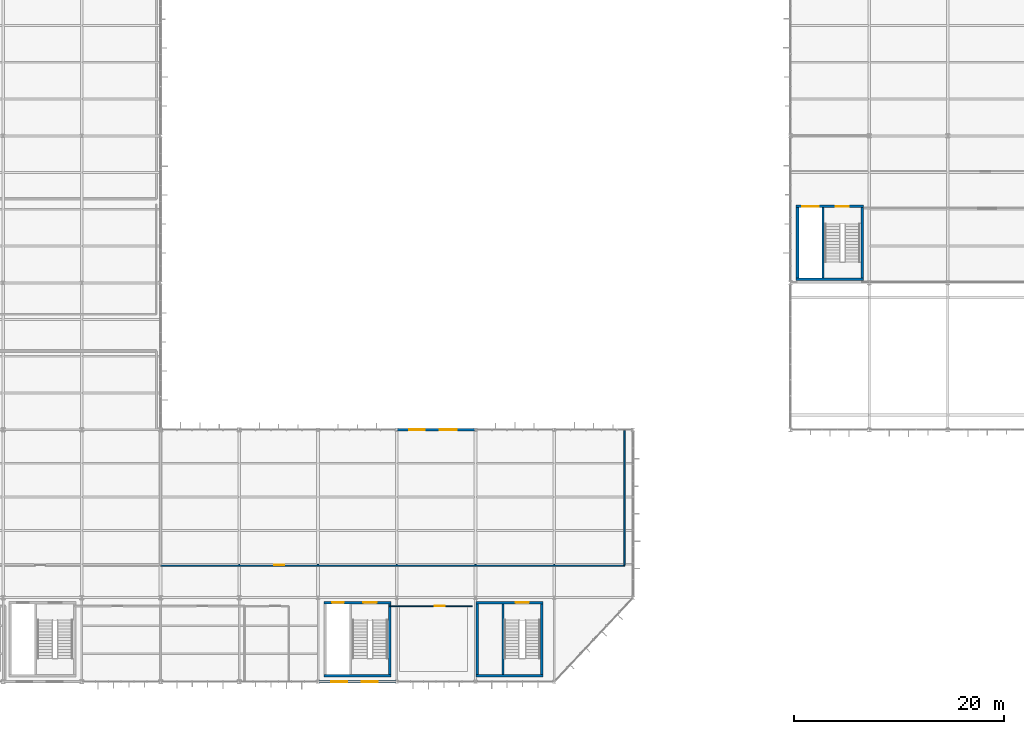
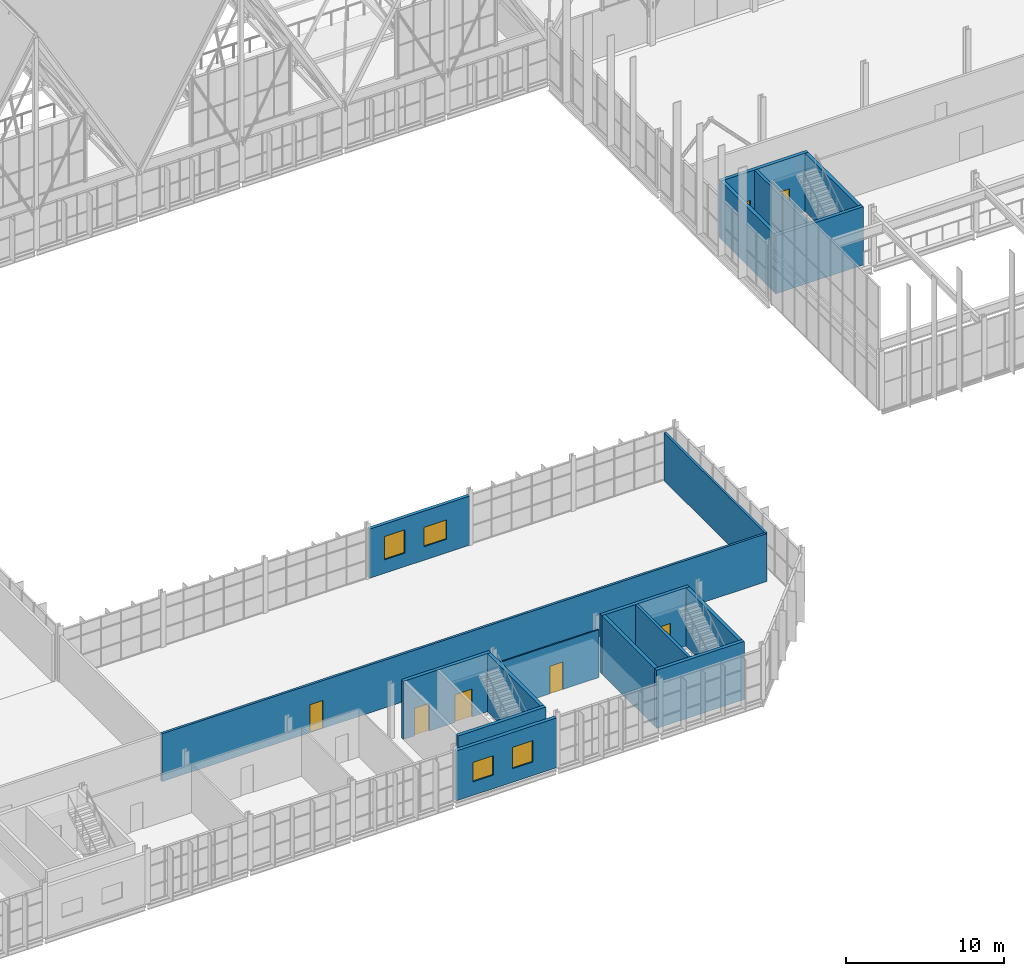
# One storey, part 307 of 324: 18 walls, 7 doors, 4 windows, 11 openings.
"""IFC4 building model written with IfcOpenShell, lengths in metres."""

from ifc_helpers import new_model, si_unit, direction, frame, frame_2d, origin, place, context, subcontext, project, spatial, rectangle, extrude, material, layer, layer_set, type_object, element, fill, save


model = new_model("IFC4")

# Units and contexts
model_context = context("Model", 3, precision=1e-05, world=origin(), true_north=direction((0.0, 1.0)))
body_context = subcontext(model_context, "Body", "Model", "MODEL_VIEW")
ifc_project = project(units=[si_unit("LENGTHUNIT", "METRE"), si_unit("AREAUNIT", "SQUARE_METRE"), si_unit("VOLUMEUNIT", "CUBIC_METRE"), si_unit("PLANEANGLEUNIT", "RADIAN"), si_unit("MASSUNIT", "GRAM", prefix="KILO")], contexts=[model_context])

# Site, building, storey
site_placement = place(None, origin())
site = spatial("IfcSite", under=ifc_project, at=site_placement, CompositionType="ELEMENT")
building_placement = place(site_placement, origin())
building = spatial("IfcBuilding", under=site, at=building_placement, Name="Solvenia Promenade Tram Depot", CompositionType="ELEMENT")
storey_placement = place(building_placement, frame((0.0, 0.0, 4.5)))
storey = spatial("IfcBuildingStorey", under=building, at=storey_placement, Name="L01", CompositionType="ELEMENT", Elevation=4.5)

# Wall
ifc_material_1 = material(Name="Concrete C28/35", Category="concrete")
ifc_layer_1 = layer(ifc_material_1, 0.25, Name="Concrete C28/35", Category="concrete")
ifc_layer_set_1 = layer_set([ifc_layer_1], Name="Concrete C28/35")
wall_type_1 = type_object("IfcWallType", Name="Wall-Core-250", PredefinedType="SHEAR", material=ifc_layer_set_1)
wall_1_placement = place(storey_placement, frame((60.550048828125, 0.574951171875, 0.0), z_axis=(0.0, 0.0, 1.0), x_axis=(1.0, 0.0, 0.0)))
element("IfcWall", 1, at=wall_1_placement, inside=storey, type_object=wall_type_1, Name="Core C3 Shear Wall WC-C3-L01-S", PredefinedType="SHEAR", context=body_context, shape_type="SweptSolid", body=[
    extrude(rectangle(XDim=6.39990234375, YDim=0.25, at=frame_2d((3.199951171875, 0.0))), origin(), (0.0, 0.0, 1.0), 4.5),
])

# Wall, openings, doors
wall_2_placement = place(storey_placement, frame((60.550048828125, 7.52490234375, 0.0), z_axis=(0.0, 0.0, 1.0), x_axis=(1.0, 0.0, 0.0)))
wall_2 = element("IfcWall", 2, at=wall_2_placement, inside=storey, type_object=wall_type_1, Name="Core C3 Shear Wall WC-C3-L01-N", PredefinedType="SHEAR", context=body_context, shape_type="SweptSolid", body=[
    extrude(rectangle(XDim=6.39990234375, YDim=0.25, at=frame_2d((3.199951171875, 0.0))), origin(), (0.0, 0.0, 1.0), 4.5),
])
opening_1_placement = place(wall_2_placement, frame((0.800048828125, 0.0, 0.0)))
opening_1 = element("IfcOpeningElement", 3, at=opening_1_placement, cuts=wall_2, Name="Opening LD-03", PredefinedType="OPENING", context=body_context, shape_type="SweptSolid", body=[
    extrude(rectangle(XDim=1.10009765625, YDim=2.14990234375, at=frame_2d((0.550048828125, 1.074951171875))), frame((0.0, 0.135009765625, 0.0), z_axis=(0.0, -1.0, 0.0), x_axis=(1.0, 0.0, 0.0)), (0.0, 0.0, 1.0), 0.27001953125),
])
opening_2_placement = place(wall_2_placement, frame((3.77490234375, 0.0, 0.0)))
opening_2 = element("IfcOpeningElement", 4, at=opening_2_placement, cuts=wall_2, Name="Opening D-FD90", PredefinedType="OPENING", context=body_context, shape_type="SweptSolid", body=[
    extrude(rectangle(XDim=1.25, YDim=2.14990234375, at=frame_2d((0.625, 1.074951171875))), frame((0.0, 0.135009765625, 0.0), z_axis=(0.0, -1.0, 0.0), x_axis=(1.0, 0.0, 0.0)), (0.0, 0.0, 1.0), 0.27001953125),
])
ifc_material_2 = material(Name="Galvanized painted sheet steel", Category="steel")
door_type_1 = type_object("IfcDoorType", Name="Door-Lift-Pass-1100", OperationType="DOUBLE_DOOR_SLIDING", PredefinedType="DOOR", material=ifc_material_2)
door_1_placement = place(opening_1_placement, origin())
door_1 = element("IfcDoor", 5, at=door_1_placement, inside=storey, type_object=door_type_1, Name="Lift Landing Door LF-03 L01", OperationType="DOUBLE_DOOR_SLIDING", OverallHeight=2.14990234375, OverallWidth=1.10009765625, PredefinedType="DOOR", context=body_context, shape_type="SweptSolid", body=[
    extrude(rectangle(XDim=1.10009765625, YDim=2.14990234375, at=frame_2d((0.550048828125, 1.074951171875))), frame((0.0, 0.02490234375, 0.0), z_axis=(0.0, -1.0, 0.0), x_axis=(1.0, 0.0, 0.0)), (0.0, 0.0, 1.0), 0.050048828125),
])
fill(opening_1, door_1)
door_type_2 = type_object("IfcDoorType", Name="Door-Stair-FD90", OperationType="NOTDEFINED", PredefinedType="DOOR", material=ifc_material_2)
door_2_placement = place(opening_2_placement, frame((1.25, 0.0, 0.0), z_axis=(0.0, 0.0, 1.0), x_axis=(-1.0, 0.0, 0.0)))
door_2 = element("IfcDoor", 6, at=door_2_placement, inside=storey, type_object=door_type_2, Name="Exit Stair Door C3 L01", OperationType="SINGLE_SWING_LEFT", OverallHeight=2.14990234375, OverallWidth=1.25, PredefinedType="DOOR", context=body_context, shape_type="SweptSolid", body=[
    extrude(rectangle(XDim=1.25, YDim=2.14990234375, at=frame_2d((0.625, 1.074951171875))), frame((0.0, 0.02490234375, 0.0), z_axis=(0.0, -1.0, 0.0), x_axis=(1.0, 0.0, 0.0)), (0.0, 0.0, 1.0), 0.050048828125),
])
fill(opening_2, door_2)

# Walls
wall_3_placement = place(storey_placement, frame((66.824951171875, 0.699951171875, 0.0), z_axis=(0.0, 0.0, 1.0), x_axis=(0.0, 1.0, 0.0)))
element("IfcWall", 7, at=wall_3_placement, inside=storey, type_object=wall_type_1, Name="Core C3 Shear Wall WC-C3-L01-E", PredefinedType="SHEAR", context=body_context, shape_type="SweptSolid", body=[
    extrude(rectangle(XDim=6.699951171875, YDim=0.25, at=frame_2d((3.35009765625, 0.0))), origin(), (0.0, 0.0, 1.0), 4.5),
])
wall_4_placement = place(storey_placement, frame((75.050048828125, 0.574951171875, 0.0), z_axis=(0.0, 0.0, 1.0), x_axis=(1.0, 0.0, 0.0)))
element("IfcWall", 8, at=wall_4_placement, inside=storey, type_object=wall_type_1, Name="Core C4 Shear Wall WC-C4-L01-S", PredefinedType="SHEAR", context=body_context, shape_type="SweptSolid", body=[
    extrude(rectangle(XDim=6.39990234375, YDim=0.25, at=frame_2d((3.199951171875, 0.0))), origin(), (0.0, 0.0, 1.0), 4.5),
])

# Wall, opening, door
wall_5_placement = place(storey_placement, frame((75.050048828125, 7.52490234375, 0.0), z_axis=(0.0, 0.0, 1.0), x_axis=(1.0, 0.0, 0.0)))
wall_5 = element("IfcWall", 9, at=wall_5_placement, inside=storey, type_object=wall_type_1, Name="Core C4 Shear Wall WC-C4-L01-N", PredefinedType="SHEAR", context=body_context, shape_type="SweptSolid", body=[
    extrude(rectangle(XDim=6.39990234375, YDim=0.25, at=frame_2d((3.199951171875, 0.0))), origin(), (0.0, 0.0, 1.0), 4.5),
])
opening_3_placement = place(wall_5_placement, frame((3.77490234375, 0.0, 0.0)))
opening_3 = element("IfcOpeningElement", 10, at=opening_3_placement, cuts=wall_5, Name="Opening D-FD90", PredefinedType="OPENING", context=body_context, shape_type="SweptSolid", body=[
    extrude(rectangle(XDim=1.25, YDim=2.14990234375, at=frame_2d((0.625, 1.074951171875))), frame((0.0, 0.135009765625, 0.0), z_axis=(0.0, -1.0, 0.0), x_axis=(1.0, 0.0, 0.0)), (0.0, 0.0, 1.0), 0.27001953125),
])
door_3_placement = place(opening_3_placement, frame((1.25, 0.0, 0.0), z_axis=(0.0, 0.0, 1.0), x_axis=(-1.0, 0.0, 0.0)))
door_3 = element("IfcDoor", 11, at=door_3_placement, inside=storey, type_object=door_type_2, Name="Exit Stair Door C4 L01", OperationType="SINGLE_SWING_RIGHT", OverallHeight=2.14990234375, OverallWidth=1.25, PredefinedType="DOOR", context=body_context, shape_type="SweptSolid", body=[
    extrude(rectangle(XDim=1.25, YDim=2.14990234375, at=frame_2d((0.625, 1.074951171875))), frame((0.0, 0.02490234375, 0.0), z_axis=(0.0, -1.0, 0.0), x_axis=(1.0, 0.0, 0.0)), (0.0, 0.0, 1.0), 0.050048828125),
])
fill(opening_3, door_3)

# Walls
for number, where, z_axis, x_axis, name in (
    (12, (75.175048828125, 0.699951171875, 0.0), (0.0, 0.0, 1.0), (0.0, 1.0, 0.0), "Core C4 Shear Wall WC-C4-L01-W"),
    (13, (81.324951171875, 0.699951171875, 0.0), (0.0, 0.0, 1.0), (0.0, 1.0, 0.0), "Core C4 Shear Wall WC-C4-L01-E"),
):
    element("IfcWall", number, at=place(storey_placement, frame(where, z_axis=z_axis, x_axis=x_axis)), inside=storey, type_object=wall_type_1, Name=name, PredefinedType="SHEAR", context=body_context, shape_type="SweptSolid", body=[
        extrude(rectangle(XDim=6.699951171875, YDim=0.25, at=frame_2d((3.35009765625, 0.0))), origin(), (0.0, 0.0, 1.0), 4.5),
    ])
wall_6_placement = place(storey_placement, frame((105.550048828125, 38.324951171875, 0.0), z_axis=(0.0, 0.0, 1.0), x_axis=(1.0, 0.0, 0.0)))
element("IfcWall", 14, at=wall_6_placement, inside=storey, type_object=wall_type_1, Name="Core C5 Shear Wall WC-C5-L01-S", PredefinedType="SHEAR", context=body_context, shape_type="SweptSolid", body=[
    extrude(rectangle(XDim=6.39990234375, YDim=0.25, at=frame_2d((3.199951171875, 0.0))), origin(), (0.0, 0.0, 1.0), 4.5),
])

# Wall, openings, doors
wall_7_placement = place(storey_placement, frame((105.550048828125, 45.27490234375, 0.0), z_axis=(0.0, 0.0, 1.0), x_axis=(1.0, 0.0, 0.0)))
wall_7 = element("IfcWall", 15, at=wall_7_placement, inside=storey, type_object=wall_type_1, Name="Core C5 Shear Wall WC-C5-L01-N", PredefinedType="SHEAR", context=body_context, shape_type="SweptSolid", body=[
    extrude(rectangle(XDim=6.39990234375, YDim=0.25, at=frame_2d((3.199951171875, 0.0))), origin(), (0.0, 0.0, 1.0), 4.5),
])
opening_4_placement = place(wall_7_placement, frame((0.550048828125, 0.0, 0.0)))
opening_4 = element("IfcOpeningElement", 16, at=opening_4_placement, cuts=wall_7, Name="Opening LD-05", PredefinedType="OPENING", context=body_context, shape_type="SweptSolid", body=[
    extrude(rectangle(XDim=1.60009765625, YDim=2.25, at=frame_2d((0.800048828125, 1.125))), frame((0.0, 0.135009765625, 0.0), z_axis=(0.0, -1.0, 0.0), x_axis=(1.0, 0.0, 0.0)), (0.0, 0.0, 1.0), 0.27001953125),
])
opening_5_placement = place(wall_7_placement, frame((3.77490234375, 0.0, 0.0)))
opening_5 = element("IfcOpeningElement", 17, at=opening_5_placement, cuts=wall_7, Name="Opening D-FD90", PredefinedType="OPENING", context=body_context, shape_type="SweptSolid", body=[
    extrude(rectangle(XDim=1.25, YDim=2.14990234375, at=frame_2d((0.625, 1.074951171875))), frame((0.0, 0.135009765625, 0.0), z_axis=(0.0, -1.0, 0.0), x_axis=(1.0, 0.0, 0.0)), (0.0, 0.0, 1.0), 0.27001953125),
])
door_type_3 = type_object("IfcDoorType", Name="Door-Lift-Goods-1600", OperationType="DOUBLE_DOOR_SLIDING", PredefinedType="DOOR", material=ifc_material_2)
door_4_placement = place(opening_4_placement, origin())
door_4 = element("IfcDoor", 18, at=door_4_placement, inside=storey, type_object=door_type_3, Name="Lift Landing Door LG-01 L01", OperationType="DOUBLE_DOOR_SLIDING", OverallHeight=2.25, OverallWidth=1.60009765625, PredefinedType="DOOR", context=body_context, shape_type="SweptSolid", body=[
    extrude(rectangle(XDim=1.60009765625, YDim=2.25, at=frame_2d((0.800048828125, 1.125))), frame((0.0, 0.02490234375, 0.0), z_axis=(0.0, -1.0, 0.0), x_axis=(1.0, 0.0, 0.0)), (0.0, 0.0, 1.0), 0.050048828125),
])
fill(opening_4, door_4)
door_5_placement = place(opening_5_placement, frame((1.25, 0.0, 0.0), z_axis=(0.0, 0.0, 1.0), x_axis=(-1.0, 0.0, 0.0)))
door_5 = element("IfcDoor", 19, at=door_5_placement, inside=storey, type_object=door_type_2, Name="Exit Stair Door C5 L01", OperationType="SINGLE_SWING_LEFT", OverallHeight=2.14990234375, OverallWidth=1.25, PredefinedType="DOOR", context=body_context, shape_type="SweptSolid", body=[
    extrude(rectangle(XDim=1.25, YDim=2.14990234375, at=frame_2d((0.625, 1.074951171875))), frame((0.0, 0.02490234375, 0.0), z_axis=(0.0, -1.0, 0.0), x_axis=(1.0, 0.0, 0.0)), (0.0, 0.0, 1.0), 0.050048828125),
])
fill(opening_5, door_5)

# Walls
for number, where, z_axis, x_axis, name in (
    (20, (105.675048828125, 38.449951171875, 0.0), (0.0, 0.0, 1.0), (0.0, 1.0, 0.0), "Core C5 Shear Wall WC-C5-L01-W"),
    (21, (111.824951171875, 38.449951171875, 0.0), (0.0, 0.0, 1.0), (0.0, 1.0, 0.0), "Core C5 Shear Wall WC-C5-L01-E"),
):
    element("IfcWall", number, at=place(storey_placement, frame(where, z_axis=z_axis, x_axis=x_axis)), inside=storey, type_object=wall_type_1, Name=name, PredefinedType="SHEAR", context=body_context, shape_type="SweptSolid", body=[
        extrude(rectangle(XDim=6.699951171875, YDim=0.25, at=frame_2d((3.35009765625, 0.0))), origin(), (0.0, 0.0, 1.0), 4.5),
    ])
ifc_material_3 = material(Name="Concrete blockwork masonry", Category="masonry")
ifc_layer_2 = layer(ifc_material_3, 0.152099609375, Name="Concrete blockwork masonry", Category="masonry")
ifc_layer_set_2 = layer_set([ifc_layer_2], Name="Concrete blockwork masonry")
wall_type_2 = type_object("IfcWallType", Name="Wall-Masonry-152", PredefinedType="PARTITIONING", material=ifc_layer_set_2)
wall_8_placement = place(storey_placement, frame((89.199951171875, 11.10009765625, 0.0), z_axis=(0.0, 0.0, 1.0), x_axis=(0.0, 1.0, 0.0)))
element("IfcWall", 22, at=wall_8_placement, inside=storey, type_object=wall_type_2, Name="Engineers Changing and Drying Hall Dividing Wall WP-L01-088", PredefinedType="PARTITIONING", context=body_context, shape_type="SweptSolid", body=[
    extrude(rectangle(XDim=12.81982421875, YDim=0.152099609375, at=frame_2d((6.409912109375, 0.0))), origin(), (0.0, 0.0, 1.0), 3.699951171875),
])

# Wall, opening, door
ifc_layer_3 = layer(ifc_material_3, 0.16796875, Name="Concrete blockwork masonry", Category="masonry")
ifc_layer_set_3 = layer_set([ifc_layer_3], Name="Concrete blockwork masonry")
wall_type_3 = type_object("IfcWallType", Name="Wall-Masonry-168", PredefinedType="PARTITIONING", material=ifc_layer_set_3)
wall_9_placement = place(storey_placement, frame((45.0, 11.10009765625, 0.0), z_axis=(0.0, 0.0, 1.0), x_axis=(1.0, 0.0, 0.0)))
wall_9 = element("IfcWall", 23, at=wall_9_placement, inside=storey, type_object=wall_type_3, Name="Engineers Changing and Drying Hall Partition WP-L01-087", PredefinedType="PARTITIONING", context=body_context, shape_type="SweptSolid", body=[
    extrude(rectangle(XDim=44.199951171875, YDim=0.16796875, at=frame_2d((22.10009765625, 0.0))), origin(), (0.0, 0.0, 1.0), 3.699951171875),
])
opening_6_placement = place(wall_9_placement, frame((10.81005859375, 0.0, 0.0)))
opening_6 = element("IfcOpeningElement", 24, at=opening_6_placement, cuts=wall_9, Name="Opening DR-08", PredefinedType="OPENING", context=body_context, shape_type="SweptSolid", body=[
    extrude(rectangle(XDim=0.9599609375, YDim=2.159912109375, at=frame_2d((0.47998046875, 1.080078125))), frame((0.0, 0.093994140625, 0.0), z_axis=(0.0, -1.0, 0.0), x_axis=(1.0, 0.0, 0.0)), (0.0, 0.0, 1.0), 0.18798828125),
])
door_type_4 = type_object("IfcDoorType", Name="Door-Room-960x2160", OperationType="NOTDEFINED", PredefinedType="DOOR", material=ifc_material_2)
door_6_placement = place(opening_6_placement, origin())
door_6 = element("IfcDoor", 25, at=door_6_placement, inside=storey, type_object=door_type_4, Name="Door to Engineers Changing and Drying Hall", OperationType="SINGLE_SWING_RIGHT", OverallHeight=2.159912109375, OverallWidth=0.9599609375, PredefinedType="DOOR", context=body_context, shape_type="SweptSolid", body=[
    extrude(rectangle(XDim=0.9599609375, YDim=2.159912109375, at=frame_2d((0.47998046875, 1.080078125))), frame((0.0, 0.02490234375, 0.0), z_axis=(0.0, -1.0, 0.0), x_axis=(1.0, 0.0, 0.0)), (0.0, 0.0, 1.0), 0.050048828125),
])
fill(opening_6, door_6)

ifc_material_4 = material(Name="Gypsum board acoustic partition", Category="other")
ifc_layer_4 = layer(ifc_material_4, 0.097900390625, Name="Gypsum board acoustic partition", Category="other")
ifc_layer_set_4 = layer_set([ifc_layer_4], Name="Gypsum board acoustic partition")
wall_type_4 = type_object("IfcWallType", Name="Wall-Part-98", PredefinedType="PARTITIONING", material=ifc_layer_set_4)
wall_10_placement = place(storey_placement, frame((66.824951171875, 7.199951171875, 0.0), z_axis=(0.0, 0.0, 1.0), x_axis=(1.0, 0.0, 0.0)))
wall_10 = element("IfcWall", 26, at=wall_10_placement, inside=storey, type_object=wall_type_4, Name="Staff Infirmary Partition WP-L01-084", PredefinedType="PARTITIONING", context=body_context, shape_type="SweptSolid", body=[
    extrude(rectangle(XDim=7.875, YDim=0.097900390625, at=frame_2d((3.9375, 0.0))), origin(), (0.0, 0.0, 1.0), 3.699951171875),
])
opening_7_placement = place(wall_10_placement, frame((4.300048828125, 0.0, 0.0)))
opening_7 = element("IfcOpeningElement", 27, at=opening_7_placement, cuts=wall_10, Name="Opening DR-06", PredefinedType="OPENING", context=body_context, shape_type="SweptSolid", body=[
    extrude(rectangle(XDim=0.93994140625, YDim=2.1201171875, at=frame_2d((0.469970703125, 1.06005859375))), frame((0.0, 0.058837890625, 0.0), z_axis=(0.0, -1.0, 0.0), x_axis=(1.0, 0.0, 0.0)), (0.0, 0.0, 1.0), 0.117919921875),
])
door_type_5 = type_object("IfcDoorType", Name="Door-Room-940x2120", OperationType="NOTDEFINED", PredefinedType="DOOR", material=ifc_material_2)
door_7_placement = place(opening_7_placement, origin())
door_7 = element("IfcDoor", 28, at=door_7_placement, inside=storey, type_object=door_type_5, Name="Door to Staff Infirmary", OperationType="SINGLE_SWING_RIGHT", OverallHeight=2.1201171875, OverallWidth=0.93994140625, PredefinedType="DOOR", context=body_context, shape_type="SweptSolid", body=[
    extrude(rectangle(XDim=0.93994140625, YDim=2.1201171875, at=frame_2d((0.469970703125, 1.06005859375))), frame((0.0, 0.02490234375, 0.0), z_axis=(0.0, -1.0, 0.0), x_axis=(1.0, 0.0, 0.0)), (0.0, 0.0, 1.0), 0.050048828125),
])
fill(opening_7, door_7)

# Walls
ifc_layer_5 = layer(ifc_material_1, 0.199951171875, Name="Concrete C28/35", Category="concrete")
ifc_layer_set_5 = layer_set([ifc_layer_5], Name="Concrete C28/35")
wall_type_5 = type_object("IfcWallType", Name="Wall-Shaft-200", PredefinedType="SHEAR", material=ifc_layer_set_5)
for number, where, z_axis, x_axis, name in (
    (29, (77.60009765625, 0.699951171875, 0.0), (0.0, 0.0, 1.0), (0.0, 1.0, 0.0), "Core C4 Shear Wall WC-C4-L01-DIV"),
    (30, (108.10009765625, 38.449951171875, 0.0), (0.0, 0.0, 1.0), (0.0, 1.0, 0.0), "Core C5 Shear Wall WC-C5-L01-DIV"),
):
    element("IfcWall", number, at=place(storey_placement, frame(where, z_axis=z_axis, x_axis=x_axis)), inside=storey, type_object=wall_type_5, Name=name, PredefinedType="SHEAR", context=body_context, shape_type="SweptSolid", body=[
        extrude(rectangle(XDim=6.699951171875, YDim=0.199951171875, at=frame_2d((3.35009765625, 0.0))), origin(), (0.0, 0.0, 1.0), 4.5),
    ])

# Wall, openings, windows
ifc_material_5 = material(Name="Concrete C35/45", Category="concrete")
ifc_layer_6 = layer(ifc_material_5, 0.239990234375, Name="Concrete C35/45", Category="concrete")
ifc_layer_set_6 = layer_set([ifc_layer_6], Name="Concrete C35/45")
wall_type_6 = type_object("IfcWallType", Name="Wall-Spandrel-240", PredefinedType="SOLIDWALL", material=ifc_layer_set_6)
wall_11_placement = place(storey_placement, frame((67.580078125, 24.0, 0.0), z_axis=(0.0, 0.0, 1.0), x_axis=(1.0, 0.0, 0.0)))
wall_11 = element("IfcWall", 31, at=wall_11_placement, inside=storey, type_object=wall_type_6, Name="L01 Courtyard Pier Wall EW-L01-083", PredefinedType="SOLIDWALL", context=body_context, shape_type="SweptSolid", body=[
    extrude(rectangle(XDim=7.33984375, YDim=0.239990234375, at=frame_2d((3.669921875, 0.0))), origin(), (0.0, 0.0, 1.0), 3.800048828125),
])
opening_8_placement = place(wall_11_placement, frame((1.10009765625, 0.0, 1.050048828125)))
opening_8 = element("IfcOpeningElement", 32, at=opening_8_placement, cuts=wall_11, Name="Opening WN-18", PredefinedType="OPENING", context=body_context, shape_type="SweptSolid", body=[
    extrude(rectangle(XDim=1.5, YDim=1.800048828125, at=frame_2d((0.75, 0.89990234375))), frame((0.0, 0.1298828125, 0.0), z_axis=(0.0, -1.0, 0.0), x_axis=(1.0, 0.0, 0.0)), (0.0, 0.0, 1.0), 0.260009765625),
])
opening_9_placement = place(wall_11_placement, frame((4.0, 0.0, 1.050048828125)))
opening_9 = element("IfcOpeningElement", 33, at=opening_9_placement, cuts=wall_11, Name="Opening WN-19", PredefinedType="OPENING", context=body_context, shape_type="SweptSolid", body=[
    extrude(rectangle(XDim=1.64990234375, YDim=1.5, at=frame_2d((0.824951171875, 0.75))), frame((0.0, 0.1298828125, 0.0), z_axis=(0.0, -1.0, 0.0), x_axis=(1.0, 0.0, 0.0)), (0.0, 0.0, 1.0), 0.260009765625),
])
ifc_material_6 = material(Name="Double low-e argon insulated glass", Category="glass")
window_type_1 = type_object("IfcWindowType", Name="Win-1500x1800", PartitioningType="DOUBLE_PANEL_VERTICAL", PredefinedType="WINDOW", material=ifc_material_6)
window_1_placement = place(opening_8_placement, origin())
window_1 = element("IfcWindow", 34, at=window_1_placement, inside=storey, type_object=window_type_1, Name="L01 Courtyard Window 018", OverallHeight=1.800048828125, OverallWidth=1.5, PartitioningType="SINGLE_PANEL", PredefinedType="WINDOW", context=body_context, shape_type="SweptSolid", body=[
    extrude(rectangle(XDim=1.5, YDim=1.800048828125, at=frame_2d((0.75, 0.89990234375))), frame((0.0, 0.030029296875, 0.0), z_axis=(0.0, -1.0, 0.0), x_axis=(1.0, 0.0, 0.0)), (0.0, 0.0, 1.0), 0.06005859375),
])
fill(opening_8, window_1)
window_type_2 = type_object("IfcWindowType", Name="Win-1650x1500", PartitioningType="DOUBLE_PANEL_VERTICAL", PredefinedType="WINDOW", material=ifc_material_6)
window_2_placement = place(opening_9_placement, origin())
window_2 = element("IfcWindow", 35, at=window_2_placement, inside=storey, type_object=window_type_2, Name="L01 Courtyard Window 019", OverallHeight=1.5, OverallWidth=1.64990234375, PartitioningType="SINGLE_PANEL", PredefinedType="WINDOW", context=body_context, shape_type="SweptSolid", body=[
    extrude(rectangle(XDim=1.64990234375, YDim=1.5, at=frame_2d((0.824951171875, 0.75))), frame((0.0, 0.030029296875, 0.0), z_axis=(0.0, -1.0, 0.0), x_axis=(1.0, 0.0, 0.0)), (0.0, 0.0, 1.0), 0.06005859375),
])
fill(opening_9, window_2)

ifc_layer_7 = layer(ifc_material_5, 0.264892578125, Name="Concrete C35/45", Category="concrete")
ifc_layer_set_7 = layer_set([ifc_layer_7], Name="Concrete C35/45")
wall_type_7 = type_object("IfcWallType", Name="Wall-Spandrel-265", PredefinedType="SOLIDWALL", material=ifc_layer_set_7)
wall_12_placement = place(storey_placement, frame((60.080078125, 0.0, 0.0), z_axis=(0.0, 0.0, 1.0), x_axis=(1.0, 0.0, 0.0)))
wall_12 = element("IfcWall", 36, at=wall_12_placement, inside=storey, type_object=wall_type_7, Name="L01 South Feature Pier EW-L01-082", PredefinedType="SOLIDWALL", context=body_context, shape_type="SweptSolid", body=[
    extrude(rectangle(XDim=7.33984375, YDim=0.264892578125, at=frame_2d((3.669921875, 0.0))), origin(), (0.0, 0.0, 1.0), 3.85009765625),
])
opening_10_placement = place(wall_12_placement, frame((1.199951171875, 0.0, 1.050048828125)))
opening_10 = element("IfcOpeningElement", 37, at=opening_10_placement, cuts=wall_12, Name="Opening WN-16", PredefinedType="OPENING", context=body_context, shape_type="SweptSolid", body=[
    extrude(rectangle(XDim=1.5, YDim=1.5, at=frame_2d((0.75, 0.75))), frame((0.0, 0.142333984375, 0.0), z_axis=(0.0, -1.0, 0.0), x_axis=(1.0, 0.0, 0.0)), (0.0, 0.0, 1.0), 0.284912109375),
])
opening_11_placement = place(wall_12_placement, frame((4.10009765625, 0.0, 1.050048828125)))
opening_11 = element("IfcOpeningElement", 38, at=opening_11_placement, cuts=wall_12, Name="Opening WN-17", PredefinedType="OPENING", context=body_context, shape_type="SweptSolid", body=[
    extrude(rectangle(XDim=1.5, YDim=1.64990234375, at=frame_2d((0.75, 0.824951171875))), frame((0.0, 0.142333984375, 0.0), z_axis=(0.0, -1.0, 0.0), x_axis=(1.0, 0.0, 0.0)), (0.0, 0.0, 1.0), 0.284912109375),
])
window_type_3 = type_object("IfcWindowType", Name="Win-1500x1500", PartitioningType="DOUBLE_PANEL_VERTICAL", PredefinedType="WINDOW", material=ifc_material_6)
window_3_placement = place(opening_10_placement, origin())
window_3 = element("IfcWindow", 39, at=window_3_placement, inside=storey, type_object=window_type_3, Name="L01 South Facade Window 016", OverallHeight=1.5, OverallWidth=1.5, PartitioningType="SINGLE_PANEL", PredefinedType="WINDOW", context=body_context, shape_type="SweptSolid", body=[
    extrude(rectangle(XDim=1.5, YDim=1.5, at=frame_2d((0.75, 0.75))), frame((0.0, 0.030029296875, 0.0), z_axis=(0.0, -1.0, 0.0), x_axis=(1.0, 0.0, 0.0)), (0.0, 0.0, 1.0), 0.06005859375),
])
fill(opening_10, window_3)
window_type_4 = type_object("IfcWindowType", Name="Win-1500x1650", PartitioningType="DOUBLE_PANEL_VERTICAL", PredefinedType="WINDOW", material=ifc_material_6)
window_4_placement = place(opening_11_placement, origin())
window_4 = element("IfcWindow", 40, at=window_4_placement, inside=storey, type_object=window_type_4, Name="L01 South Facade Window 017", OverallHeight=1.64990234375, OverallWidth=1.5, PartitioningType="SINGLE_PANEL", PredefinedType="WINDOW", context=body_context, shape_type="SweptSolid", body=[
    extrude(rectangle(XDim=1.5, YDim=1.64990234375, at=frame_2d((0.75, 0.824951171875))), frame((0.0, 0.030029296875, 0.0), z_axis=(0.0, -1.0, 0.0), x_axis=(1.0, 0.0, 0.0)), (0.0, 0.0, 1.0), 0.06005859375),
])
fill(opening_11, window_4)

save(model, "model.ifc")
